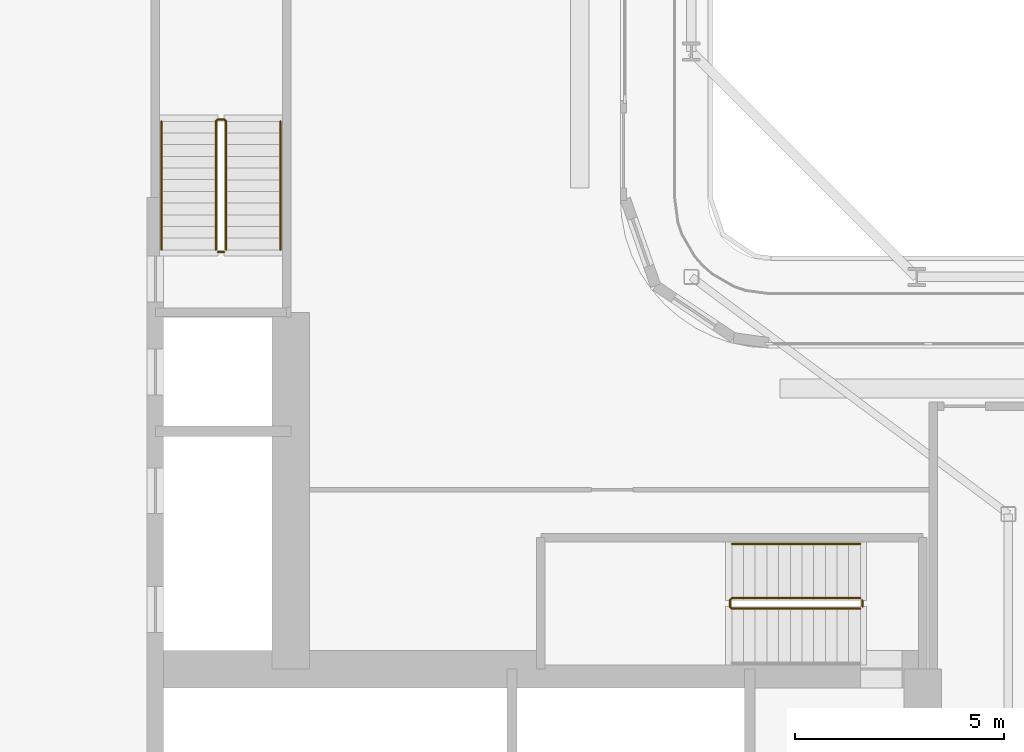
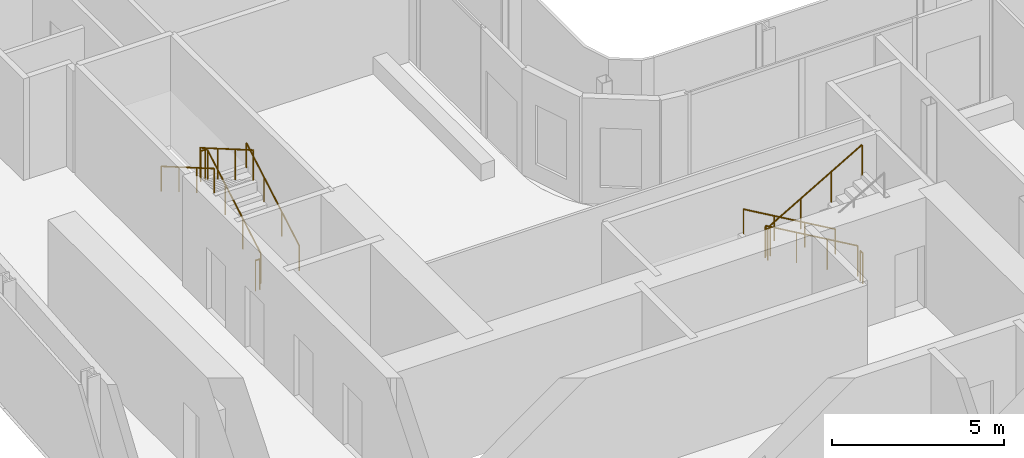
# One storey, part 22 of 27: 7 railings.
"""IFC4 building model written with IfcOpenShell, lengths in metres."""

from ifc_helpers import new_model, si_unit, direction, frame, origin, origin_2d, place, context, subcontext, project, spatial, circle, extrude, material, type_object, element, save


model = new_model("IFC4")

# Units and contexts
model_context = context("Model", 3, precision=1e-05, world=origin(), true_north=direction((0.0, 1.0)))
body_context = subcontext(model_context, "Body", "Model", "MODEL_VIEW")
ifc_project = project(units=[si_unit("LENGTHUNIT", "METRE"), si_unit("AREAUNIT", "SQUARE_METRE"), si_unit("VOLUMEUNIT", "CUBIC_METRE"), si_unit("PLANEANGLEUNIT", "RADIAN"), si_unit("MASSUNIT", "GRAM", prefix="KILO")], contexts=[model_context])

# Site, building, storey
site_placement = place(None, origin())
site = spatial("IfcSite", under=ifc_project, at=site_placement, CompositionType="ELEMENT")
building_placement = place(site_placement, origin())
building = spatial("IfcBuilding", under=site, at=building_placement, Name="Kheshtan School and Residences Tower", CompositionType="ELEMENT")
storey_placement = place(building_placement, frame((0.0, 0.0, 98.0)))
storey = spatial("IfcBuildingStorey", under=building, at=storey_placement, Name="L22", CompositionType="ELEMENT", Elevation=98.0)

# Railings
ifc_material_1 = material(Name="Stainless steel balustrade", Category="steel")
railing_type_1 = type_object("IfcRailingType", Name="Stair guard 1100", PredefinedType="GUARDRAIL", material=ifc_material_1)
railing_1_placement = place(storey_placement, frame((51.64990234375, 37.89990234375, 0.16259765625)))
element("IfcRailing", 1, at=railing_1_placement, inside=storey, type_object=railing_type_1, Name="L22 ST1 stair guard 1", PredefinedType="GUARDRAIL", context=body_context, shape_type="SweptSolid", body=[
    extrude(circle(Radius=0.02392578125, at=origin_2d()), frame((0.0, 0.0, 1.076171875), z_axis=(-0.864903211148, 0.0, 0.501938676878), x_axis=(0.0, -1.0, 0.0)), (0.0, 0.0, 1.0), 3.560791015625),
    extrude(circle(Radius=0.02392578125, at=origin_2d()), frame((-3.079833984375, 0.0, 2.86328125), z_axis=(-0.708833529934, -0.705375805398, 0.0), x_axis=(0.705375805398, -0.708833529934, 0.0)), (0.0, 0.0, 1.0), 0.070556640625),
    extrude(circle(Radius=0.02392578125, at=origin_2d()), frame((-3.1298828125, -0.0498046875, 2.86328125), z_axis=(0.0, -1.0, 0.0), x_axis=(1.0, 0.0, 0.0)), (0.0, 0.0, 1.0), 0.150146484375),
    extrude(circle(Radius=0.02392578125, at=origin_2d()), frame((-3.1298828125, -0.199951171875, 2.86328125), z_axis=(0.282227285176, -0.282227285176, 0.916894497205), x_axis=(0.707106781187, 0.707106781187, 0.0)), (0.0, 0.0, 1.0), 0.17724609375),
    extrude(circle(Radius=0.02392578125, at=origin_2d()), frame((-3.079833984375, -0.25, 3.02587890625), z_axis=(0.864903211148, 0.0, 0.501938676878), x_axis=(0.0, 1.0, 0.0)), (0.0, 0.0, 1.0), 3.560791015625),
    extrude(circle(Radius=0.02099609375, at=origin_2d()), origin(), (0.0, 0.0, 1.0), 1.052001953125),
    extrude(circle(Radius=0.02099609375, at=origin_2d()), frame((-1.026611328125, 0.0, 0.595703125)), (0.0, 0.0, 1.0), 1.052001953125),
    extrude(circle(Radius=0.02099609375, at=origin_2d()), frame((-2.05322265625, 0.0, 1.191650390625)), (0.0, 0.0, 1.0), 1.052001953125),
    extrude(circle(Radius=0.02099609375, at=origin_2d()), frame((-3.079833984375, 0.0, 1.787353515625)), (0.0, 0.0, 1.0), 1.052001953125),
    extrude(circle(Radius=0.02099609375, at=origin_2d()), frame((-3.1298828125, -0.0498046875, 1.787353515625)), (0.0, 0.0, 1.0), 1.052001953125),
    extrude(circle(Radius=0.02099609375, at=origin_2d()), frame((-3.1298828125, -0.199951171875, 1.787353515625)), (0.0, 0.0, 1.0), 1.052001953125),
    extrude(circle(Radius=0.02099609375, at=origin_2d()), frame((-3.079833984375, -0.25, 1.949951171875)), (0.0, 0.0, 1.0), 1.052001953125),
    extrude(circle(Radius=0.02099609375, at=origin_2d()), frame((-2.05322265625, -0.25, 2.545654296875)), (0.0, 0.0, 1.0), 1.052001953125),
    extrude(circle(Radius=0.02099609375, at=origin_2d()), frame((-1.026611328125, -0.25, 3.1416015625)), (0.0, 0.0, 1.0), 1.052001953125),
    extrude(circle(Radius=0.02099609375, at=origin_2d()), frame((0.0, -0.25, 3.7373046875)), (0.0, 0.0, 1.0), 1.052001953125),
])
railing_2_placement = place(storey_placement, frame((51.699951171875, 37.85009765625, 0.0)))
element("IfcRailing", 2, at=railing_2_placement, inside=storey, type_object=railing_type_1, Name="L22 ST1 stair guard 2", PredefinedType="GUARDRAIL", context=body_context, shape_type="SweptSolid", body=[
    extrude(circle(Radius=0.02392578125, at=origin_2d()), frame((0.0, 0.0, 1.076171875), z_axis=(0.0, -1.0, 0.0), x_axis=(1.0, 0.0, 0.0)), (0.0, 0.0, 1.0), 0.150146484375),
    extrude(circle(Radius=0.02099609375, at=origin_2d()), origin(), (0.0, 0.0, 1.0), 1.052001953125),
    extrude(circle(Radius=0.02099609375, at=origin_2d()), frame((0.0, -0.150146484375, 0.0)), (0.0, 0.0, 1.0), 1.052001953125),
])
railing_3_placement = place(storey_placement, frame((36.449951171875, 46.25, 0.16259765625)))
element("IfcRailing", 3, at=railing_3_placement, inside=storey, type_object=railing_type_1, Name="L22 ST2 stair guard 1", PredefinedType="GUARDRAIL", context=body_context, shape_type="SweptSolid", body=[
    extrude(circle(Radius=0.02392578125, at=origin_2d()), frame((0.0, 0.0, 1.076171875), z_axis=(0.0, 0.864920483161, 0.501908913857), x_axis=(-1.0, 0.0, 0.0)), (0.0, 0.0, 1.0), 3.56103515625),
    extrude(circle(Radius=0.02392578125, at=origin_2d()), frame((0.0, 3.080078125, 2.86328125), z_axis=(-0.708833529934, 0.705375805398, 0.0), x_axis=(-0.705375805398, -0.708833529934, 0.0)), (0.0, 0.0, 1.0), 0.070556640625),
    extrude(circle(Radius=0.02392578125, at=origin_2d()), frame((-0.050048828125, 3.1298828125, 2.86328125), z_axis=(-1.0, 0.0, 0.0), x_axis=(0.0, -1.0, 0.0)), (0.0, 0.0, 1.0), 0.14990234375),
    extrude(circle(Radius=0.02392578125, at=origin_2d()), frame((-0.199951171875, 3.1298828125, 2.86328125), z_axis=(-0.282336740067, -0.280959487676, 0.917250092119), x_axis=(0.705375805398, -0.708833529934, 0.0)), (0.0, 0.0, 1.0), 0.17724609375),
    extrude(circle(Radius=0.02392578125, at=origin_2d()), frame((-0.25, 3.080078125, 3.02587890625), z_axis=(0.0, -0.864920483161, 0.501908913857), x_axis=(1.0, 0.0, 0.0)), (0.0, 0.0, 1.0), 3.56103515625),
    extrude(circle(Radius=0.02099609375, at=origin_2d()), origin(), (0.0, 0.0, 1.0), 1.052001953125),
    extrude(circle(Radius=0.02099609375, at=origin_2d()), frame((0.0, 1.026611328125, 0.595703125)), (0.0, 0.0, 1.0), 1.052001953125),
    extrude(circle(Radius=0.02099609375, at=origin_2d()), frame((0.0, 2.053466796875, 1.191650390625)), (0.0, 0.0, 1.0), 1.052001953125),
    extrude(circle(Radius=0.02099609375, at=origin_2d()), frame((0.0, 3.080078125, 1.787353515625)), (0.0, 0.0, 1.0), 1.052001953125),
    extrude(circle(Radius=0.02099609375, at=origin_2d()), frame((-0.050048828125, 3.1298828125, 1.787353515625)), (0.0, 0.0, 1.0), 1.052001953125),
    extrude(circle(Radius=0.02099609375, at=origin_2d()), frame((-0.199951171875, 3.1298828125, 1.787353515625)), (0.0, 0.0, 1.0), 1.052001953125),
    extrude(circle(Radius=0.02099609375, at=origin_2d()), frame((-0.25, 3.080078125, 1.949951171875)), (0.0, 0.0, 1.0), 1.052001953125),
    extrude(circle(Radius=0.02099609375, at=origin_2d()), frame((-0.25, 2.053466796875, 2.545654296875)), (0.0, 0.0, 1.0), 1.052001953125),
    extrude(circle(Radius=0.02099609375, at=origin_2d()), frame((-0.25, 1.026611328125, 3.1416015625)), (0.0, 0.0, 1.0), 1.052001953125),
    extrude(circle(Radius=0.02099609375, at=origin_2d()), frame((-0.25, 0.0, 3.7373046875)), (0.0, 0.0, 1.0), 1.052001953125),
])
railing_4_placement = place(storey_placement, frame((36.39990234375, 46.199951171875, 0.0)))
element("IfcRailing", 4, at=railing_4_placement, inside=storey, type_object=railing_type_1, Name="L22 ST2 stair guard 2", PredefinedType="GUARDRAIL", context=body_context, shape_type="SweptSolid", body=[
    extrude(circle(Radius=0.02392578125, at=origin_2d()), frame((0.0, 0.0, 1.076171875), z_axis=(-1.0, 0.0, 0.0), x_axis=(0.0, -1.0, 0.0)), (0.0, 0.0, 1.0), 0.14990234375),
    extrude(circle(Radius=0.02099609375, at=origin_2d()), origin(), (0.0, 0.0, 1.0), 1.052001953125),
    extrude(circle(Radius=0.02099609375, at=origin_2d()), frame((-0.14990234375, 0.0, 0.0)), (0.0, 0.0, 1.0), 1.052001953125),
])
ifc_material_2 = material(Name="Stainless steel handrail", Category="steel")
railing_type_2 = type_object("IfcRailingType", Name="Stair handrail 900", PredefinedType="HANDRAIL", material=ifc_material_2)
railing_5_placement = place(storey_placement, frame((51.64990234375, 39.199951171875, 0.16259765625)))
element("IfcRailing", 5, at=railing_5_placement, inside=storey, type_object=railing_type_2, Name="L22 ST1 stair handrail 1", PredefinedType="HANDRAIL", context=body_context, shape_type="SweptSolid", body=[
    extrude(circle(Radius=0.02392578125, at=origin_2d()), frame((0.0, 0.0, 0.8759765625), z_axis=(-0.864903211148, 0.0, 0.501938676878), x_axis=(0.0, -1.0, 0.0)), (0.0, 0.0, 1.0), 3.560791015625),
    extrude(circle(Radius=0.02099609375, at=origin_2d()), origin(), (0.0, 0.0, 1.0), 0.851806640625),
    extrude(circle(Radius=0.02099609375, at=origin_2d()), frame((-1.026611328125, 0.0, 0.595703125)), (0.0, 0.0, 1.0), 0.851806640625),
    extrude(circle(Radius=0.02099609375, at=origin_2d()), frame((-2.05322265625, 0.0, 1.191650390625)), (0.0, 0.0, 1.0), 0.851806640625),
    extrude(circle(Radius=0.02099609375, at=origin_2d()), frame((-3.079833984375, 0.0, 1.787353515625)), (0.0, 0.0, 1.0), 0.851806640625),
])
railing_6_placement = place(storey_placement, frame((37.75, 46.25, 0.16259765625)))
element("IfcRailing", 6, at=railing_6_placement, inside=storey, type_object=railing_type_2, Name="L22 ST2 stair handrail 1", PredefinedType="HANDRAIL", context=body_context, shape_type="SweptSolid", body=[
    extrude(circle(Radius=0.02392578125, at=origin_2d()), frame((0.0, 0.0, 0.8759765625), z_axis=(0.0, 0.864920483161, 0.501908913857), x_axis=(-1.0, 0.0, 0.0)), (0.0, 0.0, 1.0), 3.56103515625),
    extrude(circle(Radius=0.02099609375, at=origin_2d()), origin(), (0.0, 0.0, 1.0), 0.851806640625),
    extrude(circle(Radius=0.02099609375, at=origin_2d()), frame((0.0, 1.026611328125, 0.595703125)), (0.0, 0.0, 1.0), 0.851806640625),
    extrude(circle(Radius=0.02099609375, at=origin_2d()), frame((0.0, 2.053466796875, 1.191650390625)), (0.0, 0.0, 1.0), 0.851806640625),
    extrude(circle(Radius=0.02099609375, at=origin_2d()), frame((0.0, 3.080078125, 1.787353515625)), (0.0, 0.0, 1.0), 0.851806640625),
])
railing_7_placement = place(storey_placement, frame((34.89990234375, 49.330078125, 2.112548828125)))
element("IfcRailing", 7, at=railing_7_placement, inside=storey, type_object=railing_type_2, Name="L22 ST2 stair handrail 2", PredefinedType="HANDRAIL", context=body_context, shape_type="SweptSolid", body=[
    extrude(circle(Radius=0.02392578125, at=origin_2d()), frame((0.0, 0.0, 0.8759765625), z_axis=(0.0, -0.864920483161, 0.501908913857), x_axis=(1.0, 0.0, 0.0)), (0.0, 0.0, 1.0), 3.56103515625),
    extrude(circle(Radius=0.02099609375, at=origin_2d()), origin(), (0.0, 0.0, 1.0), 0.851806640625),
    extrude(circle(Radius=0.02099609375, at=origin_2d()), frame((0.0, -1.026611328125, 0.595703125)), (0.0, 0.0, 1.0), 0.851806640625),
    extrude(circle(Radius=0.02099609375, at=origin_2d()), frame((0.0, -2.053466796875, 1.191650390625)), (0.0, 0.0, 1.0), 0.851806640625),
    extrude(circle(Radius=0.02099609375, at=origin_2d()), frame((0.0, -3.080078125, 1.787353515625)), (0.0, 0.0, 1.0), 0.851806640625),
])

save(model, "model.ifc")
